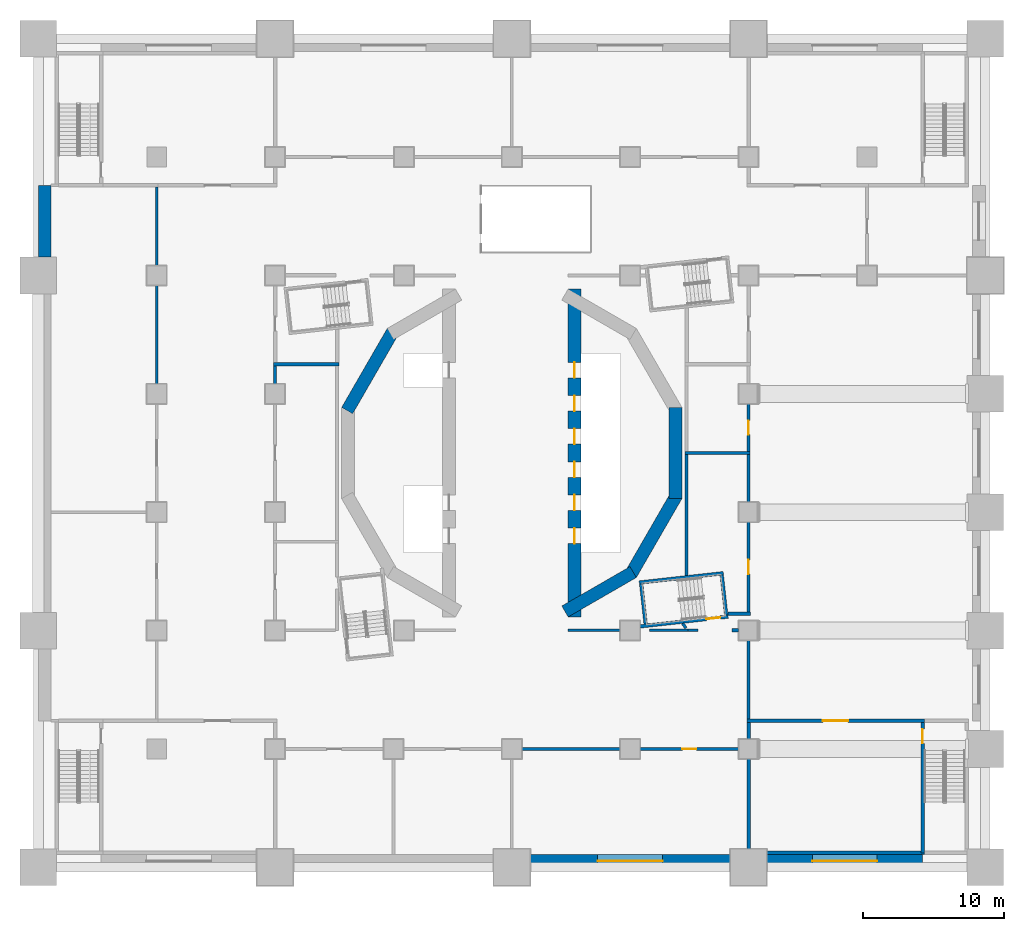
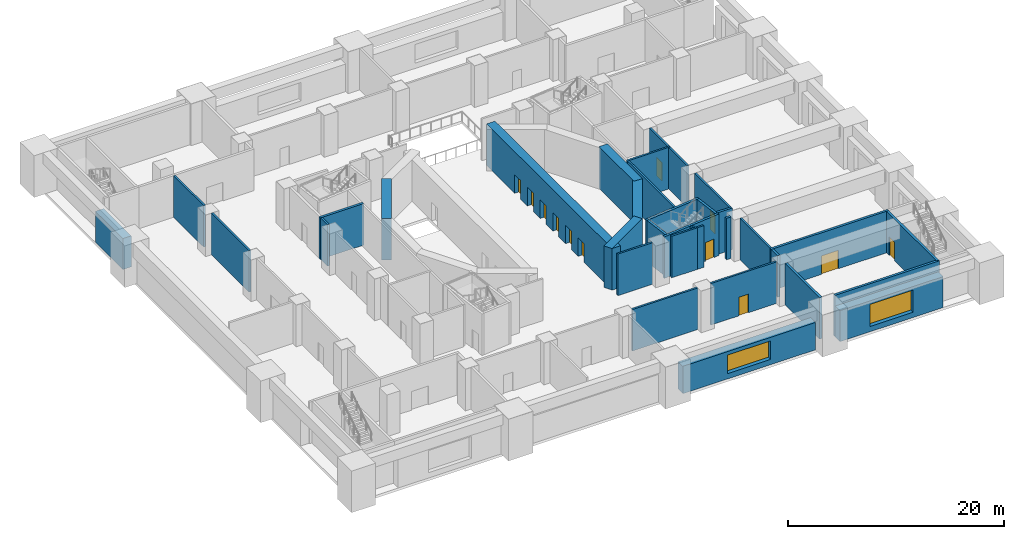
# One storey, part 3 of 17: 35 walls, 12 doors, 2 windows, 14 openings.
"""IFC4 building model written with IfcOpenShell, lengths in metres."""

from ifc_helpers import new_model, si_unit, direction, frame, frame_2d, origin, place, context, subcontext, project, spatial, rectangle, extrude, material, layer, layer_set, type_object, element, fill, save


model = new_model("IFC4")

# Units and contexts
model_context = context("Model", 3, precision=1e-05, world=origin(), true_north=direction((0.0, 1.0)))
body_context = subcontext(model_context, "Body", "Model", "MODEL_VIEW")
ifc_project = project(units=[si_unit("LENGTHUNIT", "METRE"), si_unit("AREAUNIT", "SQUARE_METRE"), si_unit("VOLUMEUNIT", "CUBIC_METRE"), si_unit("PLANEANGLEUNIT", "RADIAN"), si_unit("MASSUNIT", "GRAM", prefix="KILO")], contexts=[model_context])

# Site, building, storey
site_placement = place(None, origin())
site = spatial("IfcSite", under=ifc_project, at=site_placement, CompositionType="ELEMENT")
building_placement = place(site_placement, origin())
building = spatial("IfcBuilding", under=site, at=building_placement, Name="Cantera Rosa Tower", CompositionType="ELEMENT")
storey_placement = place(building_placement, frame((0.0, 0.0, 22.0)))
storey = spatial("IfcBuildingStorey", under=building, at=storey_placement, Name="L03", CompositionType="ELEMENT", Elevation=22.0)

# Walls
ifc_material_1 = material(Name="Masonry blockwork", Category="masonry")
ifc_layer_1 = layer(ifc_material_1, 0.199951171875)
ifc_layer_set_1 = layer_set([ifc_layer_1], Name="Blockwork partition 200")
wall_type_1 = type_object("IfcWallType", Name="Blockwork partition 200", PredefinedType="PARTITIONING", material=ifc_layer_set_1)
wall_1_placement = place(storey_placement, frame((4.0, -12.57666015625, 0.0), z_axis=(0.0, 0.0, 1.0), x_axis=(1.0, 0.0, 0.0)))
element("IfcWall", 1, at=wall_1_placement, inside=storey, type_object=wall_type_1, Name="Partition L03-3", PredefinedType="PARTITIONING", context=body_context, shape_type="SweptSolid", body=[
    extrude(rectangle(XDim=3.699951171875, YDim=0.199951171875, at=frame_2d((1.85009765625, 0.0))), origin(), (0.0, 0.0, 1.0), 4.699951171875),
])
wall_2_placement = place(storey_placement, frame((9.768798828125, -12.57666015625, 0.0), z_axis=(0.0, 0.0, 1.0), x_axis=(1.0, 0.0, 0.0)))
element("IfcWall", 2, at=wall_2_placement, inside=storey, type_object=wall_type_1, Name="Partition L03-4", PredefinedType="PARTITIONING", context=body_context, shape_type="SweptSolid", body=[
    extrude(rectangle(XDim=2.731201171875, YDim=0.199951171875, at=frame_2d((1.36572265625, 0.0))), origin(), (0.0, 0.0, 1.0), 4.699951171875),
])
wall_3_placement = place(storey_placement, frame((12.5, -12.57666015625, 0.0), z_axis=(0.0, 0.0, 1.0), x_axis=(1.0, 0.0, 0.0)))
element("IfcWall", 3, at=wall_3_placement, inside=storey, type_object=wall_type_1, Name="Partition L03-5", PredefinedType="PARTITIONING", context=body_context, shape_type="SweptSolid", body=[
    extrude(rectangle(XDim=0.69873046875, YDim=0.199951171875, at=frame_2d((0.349365234375, 0.0))), origin(), (0.0, 0.0, 1.0), 4.699951171875),
])
wall_4_placement = place(storey_placement, frame((12.36474609375, -12.427978515625, 0.0), z_axis=(0.0, 0.0, 1.0), x_axis=(-0.586657106045, 0.809835440029, 0.0)))
element("IfcWall", 4, at=wall_4_placement, inside=storey, type_object=wall_type_1, Name="Partition L03-19", PredefinedType="PARTITIONING", context=body_context, shape_type="SweptSolid", body=[
    extrude(rectangle(XDim=0.412353515625, YDim=0.199951171875, at=frame_2d((0.2060546875, 0.0))), origin(), (0.0, 0.0, 1.0), 4.699951171875),
])
wall_5_placement = place(storey_placement, frame((12.39990234375, -8.6923828125, 0.0), z_axis=(0.0, 0.0, 1.0), x_axis=(0.0, 1.0, 0.0)))
element("IfcWall", 5, at=wall_5_placement, inside=storey, type_object=wall_type_1, Name="Partition L03-20", PredefinedType="PARTITIONING", context=body_context, shape_type="SweptSolid", body=[
    extrude(rectangle(XDim=8.59228515625, YDim=0.199951171875, at=frame_2d((4.296142578125, 0.0))), origin(), (0.0, 0.0, 1.0), 4.699951171875),
])
wall_6_placement = place(storey_placement, frame((12.300048828125, 0.0, 0.0), z_axis=(0.0, 0.0, 1.0), x_axis=(1.0, 0.0, 0.0)))
element("IfcWall", 6, at=wall_6_placement, inside=storey, type_object=wall_type_1, Name="Partition L03-23", PredefinedType="PARTITIONING", context=body_context, shape_type="SweptSolid", body=[
    extrude(rectangle(XDim=4.599853515625, YDim=0.199951171875, at=frame_2d((2.2998046875, 0.0))), origin(), (0.0, 0.0, 1.0), 4.699951171875),
])
wall_7_placement = place(storey_placement, frame((16.800048828125, -18.875, 0.0), z_axis=(0.0, 0.0, 1.0), x_axis=(0.0, 1.0, 0.0)))
element("IfcWall", 7, at=wall_7_placement, inside=storey, type_object=wall_type_1, Name="Partition L03-26", PredefinedType="PARTITIONING", context=body_context, shape_type="SweptSolid", body=[
    extrude(rectangle(XDim=5.574951171875, YDim=0.199951171875, at=frame_2d((2.78759765625, 0.0))), origin(), (0.0, 0.0, 1.0), 4.699951171875),
])

# Wall, opening, door
wall_8_placement = place(storey_placement, frame((16.800048828125, -11.27490234375, 0.0), z_axis=(0.0, 0.0, 1.0), x_axis=(0.0, 1.0, 0.0)))
wall_8 = element("IfcWall", 8, at=wall_8_placement, inside=storey, type_object=wall_type_1, Name="Partition L03-27", PredefinedType="PARTITIONING", context=body_context, shape_type="SweptSolid", body=[
    extrude(rectangle(XDim=6.375, YDim=0.199951171875, at=frame_2d((3.1875, 0.0))), origin(), (0.0, 0.0, 1.0), 4.699951171875),
])
opening_1_placement = place(wall_8_placement, frame((2.6875, 0.0, 0.0)))
opening_1 = element("IfcOpeningElement", 9, at=opening_1_placement, cuts=wall_8, Name="Opening L03-010", PredefinedType="OPENING", context=body_context, shape_type="SweptSolid", body=[
    extrude(rectangle(XDim=1.0, YDim=2.10009765625, at=frame_2d((0.5, 1.050048828125))), frame((0.0, 0.10986328125, 0.0), z_axis=(0.0, -1.0, 0.0), x_axis=(1.0, 0.0, 0.0)), (0.0, 0.0, 1.0), 0.219970703125),
])
ifc_material_2 = material(Name="Timber", Category="wood")
door_type_1 = type_object("IfcDoorType", Name="Door 1000x2100", OperationType="NOTDEFINED", PredefinedType="DOOR", material=ifc_material_2)
door_1_placement = place(opening_1_placement, origin())
door_1 = element("IfcDoor", 10, at=door_1_placement, inside=storey, type_object=door_type_1, Name="Door L03-010", OverallHeight=2.10009765625, OverallWidth=1.0, PredefinedType="DOOR", context=body_context, shape_type="SweptSolid", body=[
    extrude(rectangle(XDim=1.0, YDim=2.10009765625, at=frame_2d((0.5, 1.050048828125))), frame((0.0, 0.02490234375, 0.0), z_axis=(0.0, -1.0, 0.0), x_axis=(1.0, 0.0, 0.0)), (0.0, 0.0, 1.0), 0.050048828125),
])
fill(opening_1, door_1)

# Wall
wall_9_placement = place(storey_placement, frame((16.800048828125, -3.5, 0.0), z_axis=(0.0, 0.0, 1.0), x_axis=(0.0, 1.0, 0.0)))
element("IfcWall", 11, at=wall_9_placement, inside=storey, type_object=wall_type_1, Name="Partition L03-28", PredefinedType="PARTITIONING", context=body_context, shape_type="SweptSolid", body=[
    extrude(rectangle(XDim=3.39990234375, YDim=0.199951171875, at=frame_2d((1.699951171875, 0.0))), origin(), (0.0, 0.0, 1.0), 4.699951171875),
])

# Wall, opening, door
wall_10_placement = place(storey_placement, frame((16.800048828125, 0.10009765625, 0.0), z_axis=(0.0, 0.0, 1.0), x_axis=(0.0, 1.0, 0.0)))
wall_10 = element("IfcWall", 12, at=wall_10_placement, inside=storey, type_object=wall_type_1, Name="Partition L03-29", PredefinedType="PARTITIONING", context=body_context, shape_type="SweptSolid", body=[
    extrude(rectangle(XDim=3.39990234375, YDim=0.199951171875, at=frame_2d((1.699951171875, 0.0))), origin(), (0.0, 0.0, 1.0), 4.699951171875),
])
opening_2_placement = place(wall_10_placement, frame((1.199951171875, 0.0, 0.0)))
opening_2 = element("IfcOpeningElement", 13, at=opening_2_placement, cuts=wall_10, Name="Opening L03-011", PredefinedType="OPENING", context=body_context, shape_type="SweptSolid", body=[
    extrude(rectangle(XDim=1.0, YDim=2.10009765625, at=frame_2d((0.5, 1.050048828125))), frame((0.0, 0.10986328125, 0.0), z_axis=(0.0, -1.0, 0.0), x_axis=(1.0, 0.0, 0.0)), (0.0, 0.0, 1.0), 0.219970703125),
])
door_2_placement = place(opening_2_placement, origin())
door_2 = element("IfcDoor", 14, at=door_2_placement, inside=storey, type_object=door_type_1, Name="Door L03-011", OverallHeight=2.10009765625, OverallWidth=1.0, PredefinedType="DOOR", context=body_context, shape_type="SweptSolid", body=[
    extrude(rectangle(XDim=1.0, YDim=2.10009765625, at=frame_2d((0.5, 1.050048828125))), frame((0.0, 0.02490234375, 0.0), z_axis=(0.0, -1.0, 0.0), x_axis=(1.0, 0.0, 0.0)), (0.0, 0.0, 1.0), 0.050048828125),
])
fill(opening_2, door_2)

# Walls
wall_11_placement = place(storey_placement, frame((-16.800048828125, 4.89990234375, 0.0), z_axis=(0.0, 0.0, 1.0), x_axis=(0.0, 1.0, 0.0)))
element("IfcWall", 15, at=wall_11_placement, inside=storey, type_object=wall_type_1, Name="Partition L03-42", PredefinedType="PARTITIONING", context=body_context, shape_type="SweptSolid", body=[
    extrude(rectangle(XDim=1.275146484375, YDim=0.199951171875, at=frame_2d((0.6376953125, 0.0))), origin(), (0.0, 0.0, 1.0), 4.699951171875),
])
wall_12_placement = place(storey_placement, frame((0.699951171875, -21.0, 0.0), z_axis=(0.0, 0.0, 1.0), x_axis=(1.0, 0.0, 0.0)))
element("IfcWall", 16, at=wall_12_placement, inside=storey, type_object=wall_type_1, Name="Partition L03-86", PredefinedType="PARTITIONING", context=body_context, shape_type="SweptSolid", body=[
    extrude(rectangle(XDim=7.0, YDim=0.199951171875, at=frame_2d((3.5, 0.0))), origin(), (0.0, 0.0, 1.0), 4.699951171875),
])

# Wall, opening, door
wall_13_placement = place(storey_placement, frame((9.10009765625, -21.0, 0.0), z_axis=(0.0, 0.0, 1.0), x_axis=(1.0, 0.0, 0.0)))
wall_13 = element("IfcWall", 17, at=wall_13_placement, inside=storey, type_object=wall_type_1, Name="Partition L03-87", PredefinedType="PARTITIONING", context=body_context, shape_type="SweptSolid", body=[
    extrude(rectangle(XDim=7.0, YDim=0.199951171875, at=frame_2d((3.5, 0.0))), origin(), (0.0, 0.0, 1.0), 4.699951171875),
])
opening_3_placement = place(wall_13_placement, frame((3.0, 0.0, 0.0)))
opening_3 = element("IfcOpeningElement", 18, at=opening_3_placement, cuts=wall_13, Name="Opening L03-005", PredefinedType="OPENING", context=body_context, shape_type="SweptSolid", body=[
    extrude(rectangle(XDim=1.0, YDim=2.10009765625, at=frame_2d((0.5, 1.050048828125))), frame((0.0, 0.10986328125, 0.0), z_axis=(0.0, -1.0, 0.0), x_axis=(1.0, 0.0, 0.0)), (0.0, 0.0, 1.0), 0.219970703125),
])
door_3_placement = place(opening_3_placement, origin())
door_3 = element("IfcDoor", 19, at=door_3_placement, inside=storey, type_object=door_type_1, Name="Door L03-005", OverallHeight=2.10009765625, OverallWidth=1.0, PredefinedType="DOOR", context=body_context, shape_type="SweptSolid", body=[
    extrude(rectangle(XDim=1.0, YDim=2.10009765625, at=frame_2d((0.5, 1.050048828125))), frame((0.0, 0.02490234375, 0.0), z_axis=(0.0, -1.0, 0.0), x_axis=(1.0, 0.0, 0.0)), (0.0, 0.0, 1.0), 0.050048828125),
])
fill(opening_3, door_3)

# Walls
wall_14_placement = place(storey_placement, frame((-25.199951171875, 4.89990234375, 0.0), z_axis=(0.0, 0.0, 1.0), x_axis=(0.0, 1.0, 0.0)))
element("IfcWall", 20, at=wall_14_placement, inside=storey, type_object=wall_type_1, Name="Partition L03-92", PredefinedType="PARTITIONING", context=body_context, shape_type="SweptSolid", body=[
    extrude(rectangle(XDim=7.0, YDim=0.199951171875, at=frame_2d((3.5, 0.0))), origin(), (0.0, 0.0, 1.0), 4.699951171875),
])
wall_15_placement = place(storey_placement, frame((-25.199951171875, 13.300048828125, 0.0), z_axis=(0.0, 0.0, 1.0), x_axis=(0.0, 1.0, 0.0)))
element("IfcWall", 21, at=wall_15_placement, inside=storey, type_object=wall_type_1, Name="Partition L03-93", PredefinedType="PARTITIONING", context=body_context, shape_type="SweptSolid", body=[
    extrude(rectangle(XDim=5.574951171875, YDim=0.199951171875, at=frame_2d((2.78759765625, 0.0))), origin(), (0.0, 0.0, 1.0), 4.699951171875),
])
ifc_material_3 = material(Name="Concrete C70/85", Category="concrete")
ifc_layer_2 = layer(ifc_material_3, 0.89990234375)
ifc_layer_set_2 = layer_set([ifc_layer_2], Name="Drum wall 900")
wall_type_2 = type_object("IfcWallType", Name="Drum wall 900", PredefinedType="SHEAR", material=ifc_layer_set_2)
wall_16_placement = place(storey_placement, frame((-11.684326171875, 3.01025390625, 0.0), z_axis=(0.0, 0.0, 1.0), x_axis=(0.499990282633, 0.866031014036, 0.0)))
element("IfcWall", 22, at=wall_16_placement, inside=storey, type_object=wall_type_2, Name="Drum wall west 4 L03", PredefinedType="SHEAR", context=body_context, shape_type="SweptSolid", body=[
    extrude(rectangle(XDim=6.470458984375, YDim=0.89990234375, at=frame_2d((3.2353515625, 0.0))), origin(), (0.0, 0.0, 1.0), 4.699951171875),
])
wall_17_placement = place(storey_placement, frame((11.6240234375, 3.2353515625, 0.0), z_axis=(0.0, 0.0, 1.0), x_axis=(0.0, -1.0, 0.0)))
element("IfcWall", 23, at=wall_17_placement, inside=storey, type_object=wall_type_2, Name="Drum wall east 3 L03", PredefinedType="SHEAR", context=body_context, shape_type="SweptSolid", body=[
    extrude(rectangle(XDim=6.470703125, YDim=0.89990234375, at=frame_2d((3.2353515625, 0.0))), origin(), (0.0, 0.0, 1.0), 4.699951171875),
])
wall_18_placement = place(storey_placement, frame((11.684326171875, -3.01025390625, 0.0), z_axis=(0.0, 0.0, 1.0), x_axis=(-0.499990282633, -0.866031014036, 0.0)))
element("IfcWall", 24, at=wall_18_placement, inside=storey, type_object=wall_type_2, Name="Drum wall east 4 L03", PredefinedType="SHEAR", context=body_context, shape_type="SweptSolid", body=[
    extrude(rectangle(XDim=6.470458984375, YDim=0.89990234375, at=frame_2d((3.2353515625, 0.0))), origin(), (0.0, 0.0, 1.0), 4.699951171875),
])
wall_19_placement = place(storey_placement, frame((8.61376953125, -8.44921875, 0.0), z_axis=(0.0, 0.0, 1.0), x_axis=(-0.866026961591, -0.49999730179, 0.0)))
element("IfcWall", 25, at=wall_19_placement, inside=storey, type_object=wall_type_2, Name="Drum wall east 5 L03", PredefinedType="SHEAR", context=body_context, shape_type="SweptSolid", body=[
    extrude(rectangle(XDim=5.58740234375, YDim=0.89990234375, at=frame_2d((2.793701171875, 0.0))), origin(), (0.0, 0.0, 1.0), 4.699951171875),
])

# Wall, openings, doors
wall_20_placement = place(storey_placement, frame((4.449951171875, -11.632568359375, 0.0), z_axis=(0.0, 0.0, 1.0), x_axis=(0.0, 1.0, 0.0)))
wall_20 = element("IfcWall", 26, at=wall_20_placement, inside=storey, type_object=wall_type_2, Name="Drum wall east 6 L03", PredefinedType="SHEAR", context=body_context, shape_type="SweptSolid", body=[
    extrude(rectangle(XDim=23.26513671875, YDim=0.89990234375, at=frame_2d((11.632568359375, 0.0))), origin(), (0.0, 0.0, 1.0), 4.699951171875),
])
opening_4_placement = place(wall_20_placement, frame((7.5576171875, 0.0, 0.0)))
opening_4 = element("IfcOpeningElement", 27, at=opening_4_placement, cuts=wall_20, Name="Opening LD-FF1-L03", PredefinedType="OPENING", context=body_context, shape_type="SweptSolid", body=[
    extrude(rectangle(XDim=1.10009765625, YDim=2.10009765625, at=frame_2d((0.550048828125, 1.050048828125))), frame((0.0, 0.4599609375, 0.0), z_axis=(0.0, -1.0, 0.0), x_axis=(1.0, 0.0, 0.0)), (0.0, 0.0, 1.0), 0.919921875),
])
opening_5_placement = place(wall_20_placement, frame((9.907470703125, 0.0, 0.0)))
opening_5 = element("IfcOpeningElement", 28, at=opening_5_placement, cuts=wall_20, Name="Opening LD-FF2-L03", PredefinedType="OPENING", context=body_context, shape_type="SweptSolid", body=[
    extrude(rectangle(XDim=1.10009765625, YDim=2.10009765625, at=frame_2d((0.550048828125, 1.050048828125))), frame((0.0, 0.4599609375, 0.0), z_axis=(0.0, -1.0, 0.0), x_axis=(1.0, 0.0, 0.0)), (0.0, 0.0, 1.0), 0.919921875),
])
opening_6_placement = place(wall_20_placement, frame((12.257568359375, 0.0, 0.0)))
opening_6 = element("IfcOpeningElement", 29, at=opening_6_placement, cuts=wall_20, Name="Opening LD-P1-L03", PredefinedType="OPENING", context=body_context, shape_type="SweptSolid", body=[
    extrude(rectangle(XDim=1.10009765625, YDim=2.10009765625, at=frame_2d((0.550048828125, 1.050048828125))), frame((0.0, 0.4599609375, 0.0), z_axis=(0.0, -1.0, 0.0), x_axis=(1.0, 0.0, 0.0)), (0.0, 0.0, 1.0), 0.919921875),
])
opening_7_placement = place(wall_20_placement, frame((14.607421875, 0.0, 0.0)))
opening_7 = element("IfcOpeningElement", 30, at=opening_7_placement, cuts=wall_20, Name="Opening LD-P2-L03", PredefinedType="OPENING", context=body_context, shape_type="SweptSolid", body=[
    extrude(rectangle(XDim=1.10009765625, YDim=2.10009765625, at=frame_2d((0.550048828125, 1.050048828125))), frame((0.0, 0.4599609375, 0.0), z_axis=(0.0, -1.0, 0.0), x_axis=(1.0, 0.0, 0.0)), (0.0, 0.0, 1.0), 0.919921875),
])
opening_8_placement = place(wall_20_placement, frame((5.20751953125, 0.0, 0.0)))
opening_8 = element("IfcOpeningElement", 31, at=opening_8_placement, cuts=wall_20, Name="Opening LD-P6-L03", PredefinedType="OPENING", context=body_context, shape_type="SweptSolid", body=[
    extrude(rectangle(XDim=1.10009765625, YDim=2.10009765625, at=frame_2d((0.550048828125, 1.050048828125))), frame((0.0, 0.4599609375, 0.0), z_axis=(0.0, -1.0, 0.0), x_axis=(1.0, 0.0, 0.0)), (0.0, 0.0, 1.0), 0.919921875),
])
opening_9_placement = place(wall_20_placement, frame((16.95751953125, 0.0, 0.0)))
opening_9 = element("IfcOpeningElement", 32, at=opening_9_placement, cuts=wall_20, Name="Opening LD-PC1-L03", PredefinedType="OPENING", context=body_context, shape_type="SweptSolid", body=[
    extrude(rectangle(XDim=1.10009765625, YDim=2.10009765625, at=frame_2d((0.550048828125, 1.050048828125))), frame((0.0, 0.4599609375, 0.0), z_axis=(0.0, -1.0, 0.0), x_axis=(1.0, 0.0, 0.0)), (0.0, 0.0, 1.0), 0.919921875),
])
ifc_material_4 = material(Name="Steel S355J2 (EN 10025-2)", Category="steel")
door_type_2 = type_object("IfcDoorType", Name="LANDING DOOR 1100x2100", OperationType="NOTDEFINED", PredefinedType="DOOR", material=ifc_material_4)
door_4_placement = place(opening_4_placement, origin())
door_4 = element("IfcDoor", 33, at=door_4_placement, inside=storey, type_object=door_type_2, Name="LANDING DOOR FF1 L03", OperationType="SLIDING_TO_LEFT", OverallHeight=2.10009765625, OverallWidth=1.10009765625, PredefinedType="DOOR", context=body_context, shape_type="SweptSolid", body=[
    extrude(rectangle(XDim=1.10009765625, YDim=2.10009765625, at=frame_2d((0.550048828125, 1.050048828125))), frame((0.0, 0.02490234375, 0.0), z_axis=(0.0, -1.0, 0.0), x_axis=(1.0, 0.0, 0.0)), (0.0, 0.0, 1.0), 0.050048828125),
])
fill(opening_4, door_4)
door_5_placement = place(opening_5_placement, origin())
door_5 = element("IfcDoor", 34, at=door_5_placement, inside=storey, type_object=door_type_2, Name="LANDING DOOR FF2 L03", OperationType="SLIDING_TO_LEFT", OverallHeight=2.10009765625, OverallWidth=1.10009765625, PredefinedType="DOOR", context=body_context, shape_type="SweptSolid", body=[
    extrude(rectangle(XDim=1.10009765625, YDim=2.10009765625, at=frame_2d((0.550048828125, 1.050048828125))), frame((0.0, 0.02490234375, 0.0), z_axis=(0.0, -1.0, 0.0), x_axis=(1.0, 0.0, 0.0)), (0.0, 0.0, 1.0), 0.050048828125),
])
fill(opening_5, door_5)
door_6_placement = place(opening_6_placement, origin())
door_6 = element("IfcDoor", 35, at=door_6_placement, inside=storey, type_object=door_type_2, Name="LANDING DOOR P1 L03", OperationType="SLIDING_TO_LEFT", OverallHeight=2.10009765625, OverallWidth=1.10009765625, PredefinedType="DOOR", context=body_context, shape_type="SweptSolid", body=[
    extrude(rectangle(XDim=1.10009765625, YDim=2.10009765625, at=frame_2d((0.550048828125, 1.050048828125))), frame((0.0, 0.02490234375, 0.0), z_axis=(0.0, -1.0, 0.0), x_axis=(1.0, 0.0, 0.0)), (0.0, 0.0, 1.0), 0.050048828125),
])
fill(opening_6, door_6)
door_7_placement = place(opening_7_placement, origin())
door_7 = element("IfcDoor", 36, at=door_7_placement, inside=storey, type_object=door_type_2, Name="LANDING DOOR P2 L03", OperationType="SLIDING_TO_LEFT", OverallHeight=2.10009765625, OverallWidth=1.10009765625, PredefinedType="DOOR", context=body_context, shape_type="SweptSolid", body=[
    extrude(rectangle(XDim=1.10009765625, YDim=2.10009765625, at=frame_2d((0.550048828125, 1.050048828125))), frame((0.0, 0.02490234375, 0.0), z_axis=(0.0, -1.0, 0.0), x_axis=(1.0, 0.0, 0.0)), (0.0, 0.0, 1.0), 0.050048828125),
])
fill(opening_7, door_7)
door_8_placement = place(opening_8_placement, origin())
door_8 = element("IfcDoor", 37, at=door_8_placement, inside=storey, type_object=door_type_2, Name="LANDING DOOR P6 L03", OperationType="SLIDING_TO_LEFT", OverallHeight=2.10009765625, OverallWidth=1.10009765625, PredefinedType="DOOR", context=body_context, shape_type="SweptSolid", body=[
    extrude(rectangle(XDim=1.10009765625, YDim=2.10009765625, at=frame_2d((0.550048828125, 1.050048828125))), frame((0.0, 0.02490234375, 0.0), z_axis=(0.0, -1.0, 0.0), x_axis=(1.0, 0.0, 0.0)), (0.0, 0.0, 1.0), 0.050048828125),
])
fill(opening_8, door_8)
door_9_placement = place(opening_9_placement, origin())
door_9 = element("IfcDoor", 38, at=door_9_placement, inside=storey, type_object=door_type_2, Name="LANDING DOOR PC1 L03", OperationType="SLIDING_TO_LEFT", OverallHeight=2.10009765625, OverallWidth=1.10009765625, PredefinedType="DOOR", context=body_context, shape_type="SweptSolid", body=[
    extrude(rectangle(XDim=1.10009765625, YDim=2.10009765625, at=frame_2d((0.550048828125, 1.050048828125))), frame((0.0, 0.02490234375, 0.0), z_axis=(0.0, -1.0, 0.0), x_axis=(1.0, 0.0, 0.0)), (0.0, 0.0, 1.0), 0.050048828125),
])
fill(opening_9, door_9)

# Walls
ifc_material_5 = material(Name="Masonry blockwork", Category="masonry")
ifc_layer_3 = layer(ifc_material_5, 0.25)
ifc_layer_set_3 = layer_set([ifc_layer_3], Name="Fire-rated external wall 250")
wall_type_3 = type_object("IfcWallType", Name="Fire-rated external wall 250", PredefinedType="PARTITIONING", material=ifc_layer_set_3)
wall_21_placement = place(storey_placement, frame((18.10009765625, -28.375, 0.0), z_axis=(0.0, 0.0, 1.0), x_axis=(1.0, 0.0, 0.0)))
element("IfcWall", 39, at=wall_21_placement, inside=storey, type_object=wall_type_3, Name="Fire wall L03-75", PredefinedType="PARTITIONING", context=body_context, shape_type="SweptSolid", body=[
    extrude(rectangle(XDim=11.1748046875, YDim=0.25, at=frame_2d((5.58740234375, 0.0))), origin(), (0.0, 0.0, 1.0), 4.699951171875),
])
ifc_material_6 = material(Name="Masonry blockwork", Category="masonry")
ifc_layer_4 = layer(ifc_material_6, 0.25)
ifc_layer_set_4 = layer_set([ifc_layer_4], Name="Fire-rated wall 250")
wall_type_4 = type_object("IfcWallType", Name="Fire-rated wall 250", PredefinedType="PARTITIONING", material=ifc_layer_set_4)
wall_22_placement = place(storey_placement, frame((15.613525390625, -12.57666015625, 0.0), z_axis=(0.0, 0.0, 1.0), x_axis=(1.0, 0.0, 0.0)))
element("IfcWall", 40, at=wall_22_placement, inside=storey, type_object=wall_type_4, Name="Fire wall L03-6", PredefinedType="PARTITIONING", context=body_context, shape_type="SweptSolid", body=[
    extrude(rectangle(XDim=0.486572265625, YDim=0.25, at=frame_2d((0.2431640625, 0.0))), origin(), (0.0, 0.0, 1.0), 4.699951171875),
])
wall_23_placement = place(storey_placement, frame((16.800048828125, -28.10009765625, 0.0), z_axis=(0.0, 0.0, 1.0), x_axis=(0.0, 1.0, 0.0)))
element("IfcWall", 41, at=wall_23_placement, inside=storey, type_object=wall_type_4, Name="Fire wall L03-24", PredefinedType="PARTITIONING", context=body_context, shape_type="SweptSolid", body=[
    extrude(rectangle(XDim=6.400146484375, YDim=0.25, at=frame_2d((3.2001953125, 0.0))), origin(), (0.0, 0.0, 1.0), 4.699951171875),
])
wall_24_placement = place(storey_placement, frame((16.800048828125, -20.300048828125, 0.0), z_axis=(0.0, 0.0, 1.0), x_axis=(0.0, 1.0, 0.0)))
element("IfcWall", 42, at=wall_24_placement, inside=storey, type_object=wall_type_4, Name="Fire wall L03-25", PredefinedType="PARTITIONING", context=body_context, shape_type="SweptSolid", body=[
    extrude(rectangle(XDim=1.175048828125, YDim=0.25, at=frame_2d((0.58740234375, 0.0))), origin(), (0.0, 0.0, 1.0), 4.699951171875),
])
wall_25_placement = place(storey_placement, frame((15.329345703125, -11.39990234375, 0.0), z_axis=(0.0, 0.0, 1.0), x_axis=(1.0, 0.0, 0.0)))
element("IfcWall", 43, at=wall_25_placement, inside=storey, type_object=wall_type_4, Name="Fire wall L03-34", PredefinedType="PARTITIONING", context=body_context, shape_type="SweptSolid", body=[
    extrude(rectangle(XDim=1.595703125, YDim=0.25, at=frame_2d((0.7978515625, 0.0))), origin(), (0.0, 0.0, 1.0), 4.699951171875),
])
wall_26_placement = place(storey_placement, frame((-16.925048828125, 6.300048828125, 0.0), z_axis=(0.0, 0.0, 1.0), x_axis=(1.0, 0.0, 0.0)))
element("IfcWall", 44, at=wall_26_placement, inside=storey, type_object=wall_type_4, Name="Fire wall L03-35", PredefinedType="PARTITIONING", context=body_context, shape_type="SweptSolid", body=[
    extrude(rectangle(XDim=4.650146484375, YDim=0.25, at=frame_2d((2.3251953125, 0.0))), origin(), (0.0, 0.0, 1.0), 4.699951171875),
])

# Wall, opening, door
wall_27_placement = place(storey_placement, frame((16.675048828125, -19.0, 0.0), z_axis=(0.0, 0.0, 1.0), x_axis=(1.0, 0.0, 0.0)))
wall_27 = element("IfcWall", 45, at=wall_27_placement, inside=storey, type_object=wall_type_4, Name="Fire wall L03-71", PredefinedType="PARTITIONING", context=body_context, shape_type="SweptSolid", body=[
    extrude(rectangle(XDim=12.599853515625, YDim=0.25, at=frame_2d((6.2998046875, 0.0))), origin(), (0.0, 0.0, 1.0), 4.699951171875),
])
opening_10_placement = place(wall_27_placement, frame((5.39990234375, 0.0, 0.0)))
opening_10 = element("IfcOpeningElement", 46, at=opening_10_placement, cuts=wall_27, Name="Opening L03-020", PredefinedType="OPENING", context=body_context, shape_type="SweptSolid", body=[
    extrude(rectangle(XDim=1.800048828125, YDim=2.10009765625, at=frame_2d((0.89990234375, 1.050048828125))), frame((0.0, 0.135009765625, 0.0), z_axis=(0.0, -1.0, 0.0), x_axis=(1.0, 0.0, 0.0)), (0.0, 0.0, 1.0), 0.27001953125),
])
ifc_material_7 = material(Name="Steel S355J2 (EN 10025-2)", Category="steel")
door_type_3 = type_object("IfcDoorType", Name="Fire double door 1800x2100", OperationType="NOTDEFINED", PredefinedType="DOOR", material=ifc_material_7)
door_10_placement = place(opening_10_placement, origin())
door_10 = element("IfcDoor", 47, at=door_10_placement, inside=storey, type_object=door_type_3, Name="Door L03-020", OperationType="DOUBLE_DOOR_SINGLE_SWING", OverallHeight=2.10009765625, OverallWidth=1.800048828125, PredefinedType="DOOR", context=body_context, shape_type="SweptSolid", body=[
    extrude(rectangle(XDim=1.800048828125, YDim=2.10009765625, at=frame_2d((0.89990234375, 1.050048828125))), frame((0.0, 0.02490234375, 0.0), z_axis=(0.0, -1.0, 0.0), x_axis=(1.0, 0.0, 0.0)), (0.0, 0.0, 1.0), 0.050048828125),
])
fill(opening_10, door_10)

ifc_material_8 = material(Name="Concrete C50/60", Category="concrete")
ifc_layer_5 = layer(ifc_material_8, 0.25)
ifc_layer_set_5 = layer_set([ifc_layer_5], Name="RC stair wall 250 C50/60")
wall_type_5 = type_object("IfcWallType", Name="RC stair wall 250", PredefinedType="SOLIDWALL", material=ifc_layer_set_5)
wall_28_placement = place(storey_placement, frame((29.14990234375, -28.375, 0.0), z_axis=(0.0, 0.0, 1.0), x_axis=(0.0, 1.0, 0.0)))
wall_28 = element("IfcWall", 48, at=wall_28_placement, inside=storey, type_object=wall_type_5, Name="Stair wall L03-54", PredefinedType="SOLIDWALL", context=body_context, shape_type="SweptSolid", body=[
    extrude(rectangle(XDim=9.25, YDim=0.25, at=frame_2d((4.625, 0.0))), origin(), (0.0, 0.0, 1.0), 4.699951171875),
])
opening_11_placement = place(wall_28_placement, frame((7.77490234375, 0.0, 0.0)))
opening_11 = element("IfcOpeningElement", 49, at=opening_11_placement, cuts=wall_28, Name="Opening L03-021", PredefinedType="OPENING", context=body_context, shape_type="SweptSolid", body=[
    extrude(rectangle(XDim=1.0, YDim=2.10009765625, at=frame_2d((0.5, 1.050048828125))), frame((0.0, 0.135009765625, 0.0), z_axis=(0.0, -1.0, 0.0), x_axis=(1.0, 0.0, 0.0)), (0.0, 0.0, 1.0), 0.27001953125),
])
ifc_material_9 = material(Name="Steel S355J2 (EN 10025-2)", Category="steel")
door_type_4 = type_object("IfcDoorType", Name="Fire door 1000x2100 EI 120", OperationType="NOTDEFINED", PredefinedType="DOOR", material=ifc_material_9)
door_11_placement = place(opening_11_placement, origin())
door_11 = element("IfcDoor", 50, at=door_11_placement, inside=storey, type_object=door_type_4, Name="Door L03-021", OverallHeight=2.10009765625, OverallWidth=1.0, PredefinedType="DOOR", context=body_context, shape_type="SweptSolid", body=[
    extrude(rectangle(XDim=1.0, YDim=2.10009765625, at=frame_2d((0.5, 1.050048828125))), frame((0.0, 0.02490234375, 0.0), z_axis=(0.0, -1.0, 0.0), x_axis=(1.0, 0.0, 0.0)), (0.0, 0.0, 1.0), 0.050048828125),
])
fill(opening_11, door_11)

# Wall
wall_29_placement = place(storey_placement, frame((14.900390625, -8.66650390625, 0.0), z_axis=(0.0, 0.0, 1.0), x_axis=(0.110243491536, -0.993904609394, 0.0)))
element("IfcWall", 51, at=wall_29_placement, inside=storey, type_object=wall_type_5, Name="Stair wall ST-14 L03-1", PredefinedType="SOLIDWALL", context=body_context, shape_type="SweptSolid", body=[
    extrude(rectangle(XDim=2.85009765625, YDim=0.25, at=frame_2d((1.425048828125, 0.0))), origin(), (0.0, 0.0, 1.0), 4.699951171875),
])

# Wall, opening, door
wall_30_placement = place(storey_placement, frame((15.352783203125, -11.609619140625, 0.0), z_axis=(0.0, 0.0, 1.0), x_axis=(-0.993897004728, -0.11031203014, 0.0)))
wall_30 = element("IfcWall", 52, at=wall_30_placement, inside=storey, type_object=wall_type_5, Name="Stair wall ST-14 L03-2", PredefinedType="SOLIDWALL", context=body_context, shape_type="SweptSolid", body=[
    extrude(rectangle(XDim=6.27880859375, YDim=0.25, at=frame_2d((3.139404296875, 0.0))), origin(), (0.0, 0.0, 1.0), 4.699951171875),
])
opening_12_placement = place(wall_30_placement, frame((0.550048828125, 0.0, 0.0)))
opening_12 = element("IfcOpeningElement", 53, at=opening_12_placement, cuts=wall_30, Name="Opening L03-ST-14", PredefinedType="OPENING", context=body_context, shape_type="SweptSolid", body=[
    extrude(rectangle(XDim=1.0, YDim=2.10009765625, at=frame_2d((0.5, 1.050048828125))), frame((0.0, 0.135009765625, 0.0), z_axis=(0.0, -1.0, 0.0), x_axis=(1.0, 0.0, 0.0)), (0.0, 0.0, 1.0), 0.27001953125),
])
door_12_placement = place(opening_12_placement, origin())
door_12 = element("IfcDoor", 54, at=door_12_placement, inside=storey, type_object=door_type_4, Name="Door L03-ST-14", OverallHeight=2.10009765625, OverallWidth=1.0, PredefinedType="DOOR", context=body_context, shape_type="SweptSolid", body=[
    extrude(rectangle(XDim=1.0, YDim=2.10009765625, at=frame_2d((0.5, 1.050048828125))), frame((0.0, 0.02490234375, 0.0), z_axis=(0.0, -1.0, 0.0), x_axis=(1.0, 0.0, 0.0)), (0.0, 0.0, 1.0), 0.050048828125),
])
fill(opening_12, door_12)

# Walls
wall_31_placement = place(storey_placement, frame((9.499755859375, -12.133544921875, 0.0), z_axis=(0.0, 0.0, 1.0), x_axis=(-0.110328108544, 0.993895220063, 0.0)))
element("IfcWall", 55, at=wall_31_placement, inside=storey, type_object=wall_type_5, Name="Stair wall ST-14 L03-3", PredefinedType="SOLIDWALL", context=body_context, shape_type="SweptSolid", body=[
    extrude(rectangle(XDim=2.85009765625, YDim=0.25, at=frame_2d((1.425048828125, 0.0))), origin(), (0.0, 0.0, 1.0), 4.699951171875),
])
wall_32_placement = place(storey_placement, frame((9.04736328125, -9.1904296875, 0.0), z_axis=(0.0, 0.0, 1.0), x_axis=(0.993897125329, 0.110310943534, 0.0)))
element("IfcWall", 56, at=wall_32_placement, inside=storey, type_object=wall_type_5, Name="Stair wall ST-14 L03-4", PredefinedType="SOLIDWALL", context=body_context, shape_type="SweptSolid", body=[
    extrude(rectangle(XDim=6.0, YDim=0.25, at=frame_2d((3.0, 0.0))), origin(), (0.0, 0.0, 1.0), 4.699951171875),
])

# Wall, opening, window
ifc_material_10 = material(Name="Concrete C40/50 with limestone facing", Category="masonry")
ifc_layer_6 = layer(ifc_material_10, 0.89990234375)
ifc_layer_set_6 = layer_set([ifc_layer_6], Name="Stone podium wall 900")
wall_type_6 = type_object("IfcWallType", Name="Stone podium wall 900", PredefinedType="SOLIDWALL", material=ifc_layer_set_6)
wall_33_placement = place(storey_placement, frame((29.14990234375, -28.949951171875, 0.0), z_axis=(0.0, 0.0, 1.0), x_axis=(-1.0, 0.0, 0.0)))
wall_33 = element("IfcWall", 57, at=wall_33_placement, inside=storey, type_object=wall_type_6, Name="Stone wall S L03-4", PredefinedType="SOLIDWALL", context=body_context, shape_type="SweptSolid", body=[
    extrude(rectangle(XDim=11.0498046875, YDim=0.89990234375, at=frame_2d((5.52490234375, 0.0))), origin(), (0.0, 0.0, 1.0), 3.5),
])
opening_13_placement = place(wall_33_placement, frame((3.22509765625, 0.0, 0.60009765625)))
opening_13 = element("IfcOpeningElement", 58, at=opening_13_placement, cuts=wall_33, Name="Opening L03-PWS4", PredefinedType="OPENING", context=body_context, shape_type="SweptSolid", body=[
    extrude(rectangle(XDim=4.60009765625, YDim=2.5, at=frame_2d((2.300048828125, 1.25))), frame((0.0, 0.4599609375, 0.0), z_axis=(0.0, -1.0, 0.0), x_axis=(1.0, 0.0, 0.0)), (0.0, 0.0, 1.0), 0.919921875),
])
ifc_material_11 = material(Name="Glass", Category="glass")
window_type_1 = type_object("IfcWindowType", Name="Podium window 4600x2500", PartitioningType="SINGLE_PANEL", PredefinedType="WINDOW", material=ifc_material_11)
window_1_placement = place(opening_13_placement, origin())
window_1 = element("IfcWindow", 59, at=window_1_placement, inside=storey, type_object=window_type_1, Name="Podium window L03-S4", OverallHeight=2.5, OverallWidth=4.60009765625, PartitioningType="SINGLE_PANEL", PredefinedType="WINDOW", context=body_context, shape_type="SweptSolid", body=[
    extrude(rectangle(XDim=4.60009765625, YDim=2.5, at=frame_2d((2.300048828125, 1.25))), frame((0.0, 0.030029296875, 0.0), z_axis=(0.0, -1.0, 0.0), x_axis=(1.0, 0.0, 0.0)), (0.0, 0.0, 1.0), 0.06005859375),
])
fill(opening_13, window_1)

# Wall
wall_34_placement = place(storey_placement, frame((-33.14990234375, 19.0, 0.0), z_axis=(0.0, 0.0, 1.0), x_axis=(0.0, -1.0, 0.0)))
element("IfcWall", 60, at=wall_34_placement, inside=storey, type_object=wall_type_6, Name="Stone wall W L03-3", PredefinedType="SOLIDWALL", context=body_context, shape_type="SweptSolid", body=[
    extrude(rectangle(XDim=5.10009765625, YDim=0.89990234375, at=frame_2d((2.550048828125, 0.0))), origin(), (0.0, 0.0, 1.0), 3.5),
])

# Wall, opening, window
ifc_material_12 = material(Name="Concrete C40/50 with limestone facing", Category="masonry")
ifc_layer_7 = layer(ifc_material_12, 0.89990234375)
ifc_layer_set_7 = layer_set([ifc_layer_7], Name="Stone podium wall 900 under deep girder")
wall_type_7 = type_object("IfcWallType", Name="Stone podium wall 900 under deep girder", PredefinedType="SOLIDWALL", material=ifc_layer_set_7)
wall_35_placement = place(storey_placement, frame((15.5, -28.949951171875, 0.0), z_axis=(0.0, 0.0, 1.0), x_axis=(-1.0, 0.0, 0.0)))
wall_35 = element("IfcWall", 61, at=wall_35_placement, inside=storey, type_object=wall_type_7, Name="Stone wall S L03-3", PredefinedType="SOLIDWALL", context=body_context, shape_type="SweptSolid", body=[
    extrude(rectangle(XDim=14.199951171875, YDim=0.89990234375, at=frame_2d((7.10009765625, 0.0))), origin(), (0.0, 0.0, 1.0), 3.10009765625),
])
opening_14_placement = place(wall_35_placement, frame((4.800048828125, 0.0, 0.60009765625)))
opening_14 = element("IfcOpeningElement", 62, at=opening_14_placement, cuts=wall_35, Name="Opening L03-PWS3", PredefinedType="OPENING", context=body_context, shape_type="SweptSolid", body=[
    extrude(rectangle(XDim=4.60009765625, YDim=2.10009765625, at=frame_2d((2.300048828125, 1.050048828125))), frame((0.0, 0.4599609375, 0.0), z_axis=(0.0, -1.0, 0.0), x_axis=(1.0, 0.0, 0.0)), (0.0, 0.0, 1.0), 0.919921875),
])
ifc_material_13 = material(Name="Glass", Category="glass")
window_type_2 = type_object("IfcWindowType", Name="Podium window 4600x2100", PartitioningType="SINGLE_PANEL", PredefinedType="WINDOW", material=ifc_material_13)
window_2_placement = place(opening_14_placement, origin())
window_2 = element("IfcWindow", 63, at=window_2_placement, inside=storey, type_object=window_type_2, Name="Podium window L03-S3", OverallHeight=2.10009765625, OverallWidth=4.60009765625, PartitioningType="SINGLE_PANEL", PredefinedType="WINDOW", context=body_context, shape_type="SweptSolid", body=[
    extrude(rectangle(XDim=4.60009765625, YDim=2.10009765625, at=frame_2d((2.300048828125, 1.050048828125))), frame((0.0, 0.030029296875, 0.0), z_axis=(0.0, -1.0, 0.0), x_axis=(1.0, 0.0, 0.0)), (0.0, 0.0, 1.0), 0.06005859375),
])
fill(opening_14, window_2)

save(model, "model.ifc")
